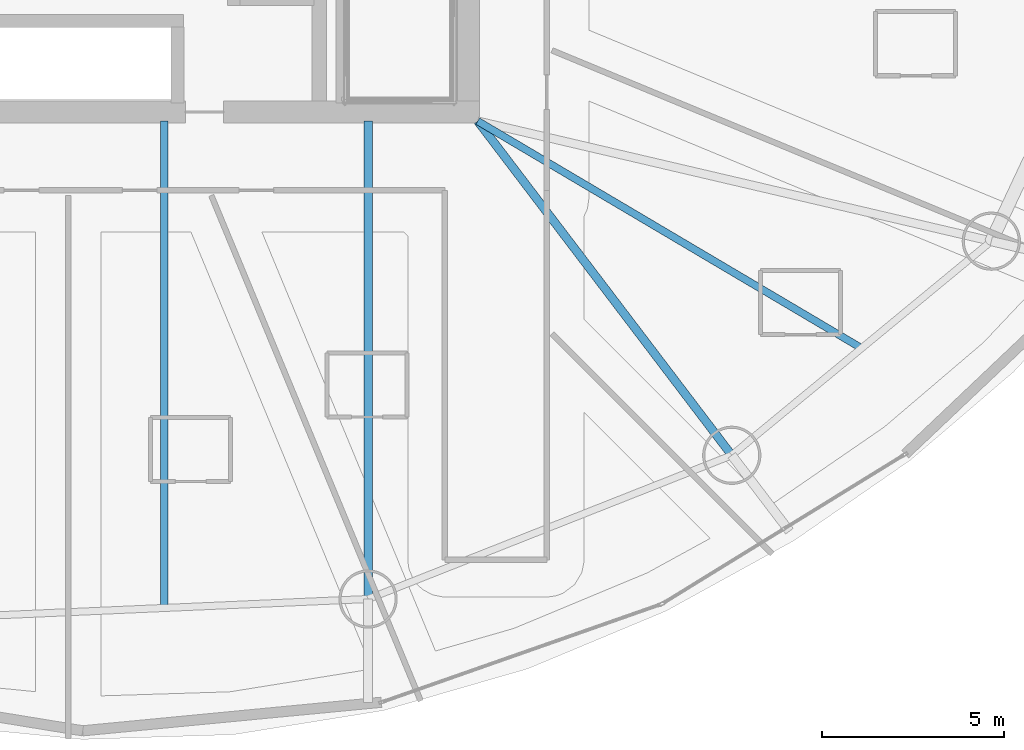
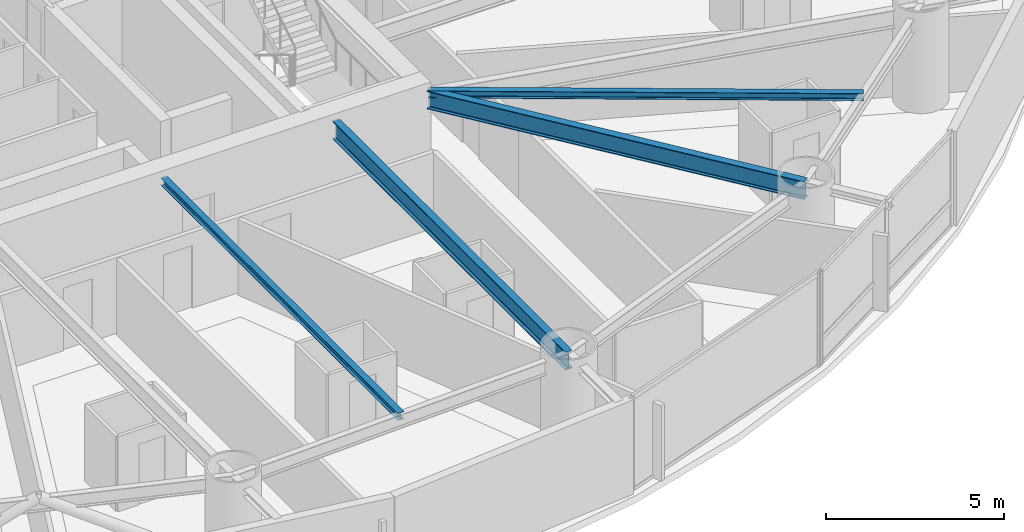
# One storey, part 7 of 27: 4 beams.
"""IFC4 building model written with IfcOpenShell, lengths in metres."""

import ifcopenshell
import ifcopenshell.guid

model = None  # the IFC model being written
_history = None  # IfcOwnerHistory: only IFC2X3 demands one
_inside = {}  # id of a spatial element -> (the spatial element, [elements in it])
_under = {}  # id of a project, library or spatial element -> (it, [spatial elements below it])
_declared = {}  # id of a project -> (the project, [libraries it declares])
_typed = {}  # id of a type object -> (the type object, [elements of that type])
_made_of = {}  # id of a material, layer set ... -> (it, [elements and type objects made of it])


def new_model(schema):
    """Start an empty IFC model of exactly this schema.

    Asked for "IFC4X3", IfcOpenShell would pick the latest addendum, in which some entities
    have other attributes; the version numbers below select the first issue.
    IFC2X3 requires an IfcOwnerHistory on every rooted entity: one is made here for all.
    """
    global model, _history
    if schema == "IFC4X3":
        model = ifcopenshell.file(schema_version=(4, 3, 0, 0))
    else:
        model = ifcopenshell.file(schema=schema)
    _inside.clear()
    _under.clear()
    _declared.clear()
    _typed.clear()
    _made_of.clear()
    _history = None
    if model.schema == "IFC2X3":
        org = make("IfcOrganization", Name="unknown")
        user = make(
            "IfcPersonAndOrganization",
            ThePerson=make("IfcPerson", FamilyName="unknown"),
            TheOrganization=org,
        )
        app = make(
            "IfcApplication",
            ApplicationDeveloper=org,
            Version="unknown",
            ApplicationFullName="unknown",
            ApplicationIdentifier="unknown",
        )
        _history = make(
            "IfcOwnerHistory",
            OwningUser=user,
            OwningApplication=app,
            ChangeAction="ADDED",
            CreationDate=0,
        )
    return model


def make(cls, **values):
    """One entity of the class cls with the attributes given. An attribute that is None is left unset."""
    return model.create_entity(
        cls, **{name: value for name, value in values.items() if value is not None}
    )


def rooted(cls, **values):
    """An entity with a GlobalId (a new one), such as an element, a storey or a relation."""
    return make(cls, GlobalId=ifcopenshell.guid.new(), OwnerHistory=_history, **values)


def si_unit(unit_type, name, prefix=None):
    """IfcSIUnit, for example si_unit("LENGTHUNIT", "METRE", prefix="MILLI")."""
    return make("IfcSIUnit", UnitType=unit_type, Prefix=prefix, Name=name)


def assignment(units):
    """IfcUnitAssignment: the units of a project."""
    return None if units is None else make("IfcUnitAssignment", Units=units)


def point(xyz):
    """IfcCartesianPoint."""
    return None if xyz is None else make("IfcCartesianPoint", Coordinates=xyz)


def direction(xyz):
    """IfcDirection."""
    return None if xyz is None else make("IfcDirection", DirectionRatios=xyz)


def frame(location, z_axis=None, x_axis=None):
    """IfcAxis2Placement3D, a coordinate frame: its origin and axes. An axis left out is left unset."""
    return make(
        "IfcAxis2Placement3D",
        Location=point(location),
        Axis=direction(z_axis),
        RefDirection=direction(x_axis),
    )


def frame_2d(location, x_axis=None):
    """IfcAxis2Placement2D, a coordinate frame in the plane: its origin and x axis."""
    return make(
        "IfcAxis2Placement2D", Location=point(location), RefDirection=direction(x_axis)
    )


def origin():
    """The frame at (0, 0, 0) with its axes left unset."""
    return frame((0.0, 0.0, 0.0))


def origin_2d():
    """The frame at (0, 0) in the plane with its x axis left unset."""
    return frame_2d((0.0, 0.0))


def place(relative_to, where):
    """IfcLocalPlacement: puts the frame where relative to a parent placement (None: the world)."""
    return make(
        "IfcLocalPlacement", PlacementRelTo=relative_to, RelativePlacement=where
    )


def context(
    kind, dimensions, precision=None, world=None, true_north=None, identifier=None
):
    """IfcGeometricRepresentationContext, for example the 3D "Model" context."""
    return make(
        "IfcGeometricRepresentationContext",
        ContextIdentifier=identifier,
        ContextType=kind,
        CoordinateSpaceDimension=dimensions,
        Precision=precision,
        WorldCoordinateSystem=world,
        TrueNorth=true_north,
    )


def subcontext(parent, identifier, kind, view, scale=None):
    """IfcGeometricRepresentationSubContext, for example "Body" below "Model"."""
    return make(
        "IfcGeometricRepresentationSubContext",
        ContextIdentifier=identifier,
        ContextType=kind,
        ParentContext=parent,
        TargetScale=scale,
        TargetView=view,
    )


def project(units=None, contexts=None):
    """IfcProject with its units and contexts."""
    return rooted(
        "IfcProject",
        Name="project",
        RepresentationContexts=contexts,
        UnitsInContext=assignment(units),
    )


def spatial(cls, under=None, at=None, **own):
    """A site, building, storey or space (cls), placed at a placement, below another one or the project."""
    s = rooted(cls, ObjectPlacement=at, **own)
    if under is not None:
        _under.setdefault(under.id(), (under, []))[1].append(s)
    return s


def profile(cls, at=None, kind="AREA", **sizes):
    """A parametric profile (cls). Its sizes go by their IFC names, for example OverallWidth=200.0."""
    return make(cls, ProfileType=kind, Position=at, **sizes)


def i_section(**sizes):
    """IfcIShapeProfileDef."""
    return profile("IfcIShapeProfileDef", **sizes)


def extrude(swept, where, along, depth):
    """IfcExtrudedAreaSolid: the profile swept, set in the frame where, extruded along a direction by depth."""
    return make(
        "IfcExtrudedAreaSolid",
        SweptArea=swept,
        Position=where,
        ExtrudedDirection=direction(along),
        Depth=depth,
    )


def shape(context_of_items, identifier, shape_type, items):
    """IfcShapeRepresentation: the items that make up one representation, for example the "Body"."""
    return make(
        "IfcShapeRepresentation",
        ContextOfItems=context_of_items,
        RepresentationIdentifier=identifier,
        RepresentationType=shape_type,
        Items=items,
    )


def material(Name=None, Category=None):
    """IfcMaterial."""
    return make("IfcMaterial", Name=Name, Category=Category)


def material_profile(
    of_material, cross_section, Name=None, Category=None, Priority=None
):
    """IfcMaterialProfile: a cross section and its material."""
    return make(
        "IfcMaterialProfile",
        Name=Name,
        Material=of_material,
        Profile=cross_section,
        Priority=Priority,
        Category=Category,
    )


def profile_set(profiles, Name=None, composite=None):
    """IfcMaterialProfileSet."""
    return make(
        "IfcMaterialProfileSet",
        Name=Name,
        MaterialProfiles=profiles,
        CompositeProfile=composite,
    )


def made_of(thing, what):
    """Note that an element or type object is made of a material, layer set ...; save() writes the relation."""
    if what is not None:
        _made_of.setdefault(what.id(), (what, []))[1].append(thing)
    return thing


def type_object(cls, material=None, **own):
    """A type object (cls), such as IfcWallType, which elements share."""
    return made_of(rooted(cls, **own), material)


def element(
    cls,
    number,
    at=None,
    inside=None,
    cuts=None,
    type_object=None,
    material=None,
    context=None,
    identifier="Body",
    shape_type=None,
    held_by="IfcProductDefinitionShape",
    body=None,
    shapes=None,
    **own,
):
    """One element of the class cls, such as IfcWall. Its Tag is "e" and its number.

    at: its placement. inside: the storey or other place that contains it. cuts: it is an
    opening in that element (IfcRelVoidsElement). A single representation is given by context,
    identifier, shape_type and body (its items); several are given by shapes. held_by: the class
    of the entity that holds the representations. save() writes the other relations.
    """
    e = rooted(cls, Tag="e%d" % number, ObjectPlacement=at, **own)
    if body is not None:
        shapes = [shape(context, identifier, shape_type, body)]
    if shapes is not None:
        e.Representation = make(held_by, Representations=shapes)
    if inside is not None:
        _inside.setdefault(inside.id(), (inside, []))[1].append(e)
    if cuts is not None:
        rooted(
            "IfcRelVoidsElement", RelatingBuildingElement=cuts, RelatedOpeningElement=e
        )
    if type_object is not None:
        _typed.setdefault(type_object.id(), (type_object, []))[1].append(e)
    return made_of(e, material)


def aggregate(whole, parts):
    """IfcRelAggregates: a whole, such as a stair, and the parts it consists of."""
    return rooted("IfcRelAggregates", RelatingObject=whole, RelatedObjects=parts)


def save(model, path):
    """Write the relations noted so far, then the file.

    IfcRelAggregates (storeys below a building ...), IfcRelContainedInSpatialStructure (elements
    in a storey), IfcRelDefinesByType, IfcRelAssociatesMaterial and IfcRelDeclares: one each for
    every whole, place, type object, material and project.
    """
    for whole, parts in _under.values():
        aggregate(whole, parts)
    for where, things in _inside.values():
        rooted(
            "IfcRelContainedInSpatialStructure",
            RelatedElements=things,
            RelatingStructure=where,
        )
    for kind, things in _typed.values():
        rooted("IfcRelDefinesByType", RelatedObjects=things, RelatingType=kind)
    for what, things in _made_of.values():
        rooted("IfcRelAssociatesMaterial", RelatedObjects=things, RelatingMaterial=what)
    for by, libraries in _declared.values():
        rooted("IfcRelDeclares", RelatingContext=by, RelatedDefinitions=libraries)
    model.write(path)


model = new_model("IFC4")

# Units and contexts
model_context = context("Model", 3, precision=1e-05, world=origin(), true_north=direction((0.0, 1.0)))
body_context = subcontext(model_context, "Body", "Model", "MODEL_VIEW")
ifc_project = project(units=[si_unit("LENGTHUNIT", "METRE"), si_unit("AREAUNIT", "SQUARE_METRE"), si_unit("VOLUMEUNIT", "CUBIC_METRE"), si_unit("PLANEANGLEUNIT", "RADIAN"), si_unit("MASSUNIT", "GRAM", prefix="KILO")], contexts=[model_context])

# Site, building, storey
site_placement = place(None, origin())
site = spatial("IfcSite", under=ifc_project, at=site_placement, CompositionType="ELEMENT")
building_placement = place(site_placement, origin())
building = spatial("IfcBuilding", under=site, at=building_placement, Name="Bramvorn Convention Spire", CompositionType="ELEMENT")
storey_placement = place(building_placement, frame((0.0, 0.0, 44.89990234375)))
storey = spatial("IfcBuildingStorey", under=building, at=storey_placement, Name="L08", CompositionType="ELEMENT", Elevation=44.89990234375)

# Beams
ifc_material = material(Name="Steel CSA G40.21 Grade 350 (350W)", Category="steel")
ifc_material_profile_1 = material_profile(ifc_material, i_section(OverallWidth=0.201904296875, OverallDepth=0.2470703125, WebThickness=0.00732421875, FlangeThickness=0.010986328125, FilletRadius=0.011962890625, at=origin_2d()))
ifc_profile_set_1 = profile_set([ifc_material_profile_1], Name="Steel CSA G40.21 Grade 350 (350W) - W250X49")
beam_type_1 = type_object("IfcBeamType", Name="BM-W250X49", PredefinedType="JOIST", material=ifc_profile_set_1)
beam_1_placement = place(storey_placement, frame((40.638427734375, 18.550048828125, 3.126708984375), z_axis=(0.0, -1.0, 0.0), x_axis=(1.0, 0.0, 0.0)))
element("IfcBeam", 1, at=beam_1_placement, inside=storey, type_object=beam_type_1, Name="L08 composite floor joist 13", PredefinedType="JOIST", context=body_context, shape_type="SweptSolid", body=[
    extrude(i_section(OverallWidth=0.201904296875, OverallDepth=0.2470703125, WebThickness=0.00732421875, FlangeThickness=0.010986328125, FilletRadius=0.011962890625, at=origin_2d()), origin(), (0.0, 0.0, 1.0), 13.372802734375),
])
beam_2_placement = place(storey_placement, frame((49.25, 18.550048828125, 3.126708984375), z_axis=(0.860664556648, -0.509172388223, 0.0), x_axis=(0.509172388223, 0.860664556648, 0.0)))
element("IfcBeam", 2, at=beam_2_placement, inside=storey, type_object=beam_type_1, Name="L08 composite floor joist 15", PredefinedType="JOIST", context=body_context, shape_type="SweptSolid", body=[
    extrude(i_section(OverallWidth=0.201904296875, OverallDepth=0.2470703125, WebThickness=0.00732421875, FlangeThickness=0.010986328125, FilletRadius=0.011962890625, at=origin_2d()), origin(), (0.0, 0.0, 1.0), 12.25048828125),
])
ifc_material_profile_2 = material_profile(ifc_material, i_section(OverallWidth=0.22998046875, OverallDepth=0.616943359375, WebThickness=0.01318359375, FlangeThickness=0.022216796875, FilletRadius=0.02001953125, at=origin_2d()))
ifc_profile_set_2 = profile_set([ifc_material_profile_2], Name="Steel CSA G40.21 Grade 350 (350W) - W610X140")
beam_type_2 = type_object("IfcBeamType", Name="BM-W610X140", PredefinedType="BEAM", material=ifc_profile_set_2)
beam_3_placement = place(storey_placement, frame((46.23779296875, 18.550048828125, 2.941650390625), z_axis=(0.0, -1.0, 0.0), x_axis=(1.0, 0.0, 0.0)))
element("IfcBeam", 3, at=beam_3_placement, inside=storey, type_object=beam_type_2, Name="L08 radial floor girder MC14", PredefinedType="BEAM", context=body_context, shape_type="SweptSolid", body=[
    extrude(i_section(OverallWidth=0.22998046875, OverallDepth=0.616943359375, WebThickness=0.01318359375, FlangeThickness=0.022216796875, FilletRadius=0.02001953125, at=origin_2d()), origin(), (0.0, 0.0, 1.0), 13.126708984375),
])
beam_4_placement = place(storey_placement, frame((49.25, 18.550048828125, 2.941650390625), z_axis=(0.605191175112, -0.796080172826, 0.0), x_axis=(0.796080172826, 0.605191175112, 0.0)))
element("IfcBeam", 4, at=beam_4_placement, inside=storey, type_object=beam_type_2, Name="L08 radial floor girder MC15", PredefinedType="BEAM", context=body_context, shape_type="SweptSolid", body=[
    extrude(i_section(OverallWidth=0.22998046875, OverallDepth=0.616943359375, WebThickness=0.01318359375, FlangeThickness=0.022216796875, FilletRadius=0.02001953125, at=origin_2d()), origin(), (0.0, 0.0, 1.0), 11.52978515625),
])

save(model, "model.ifc")
